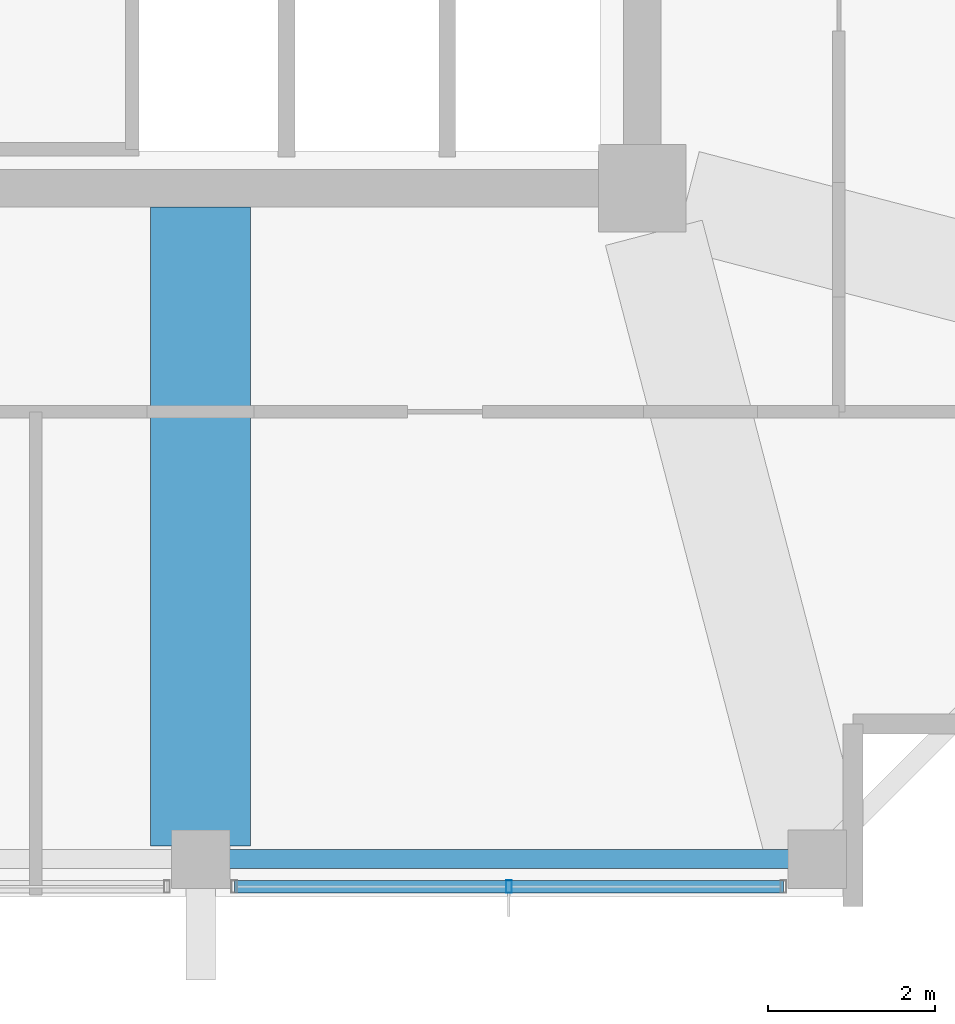
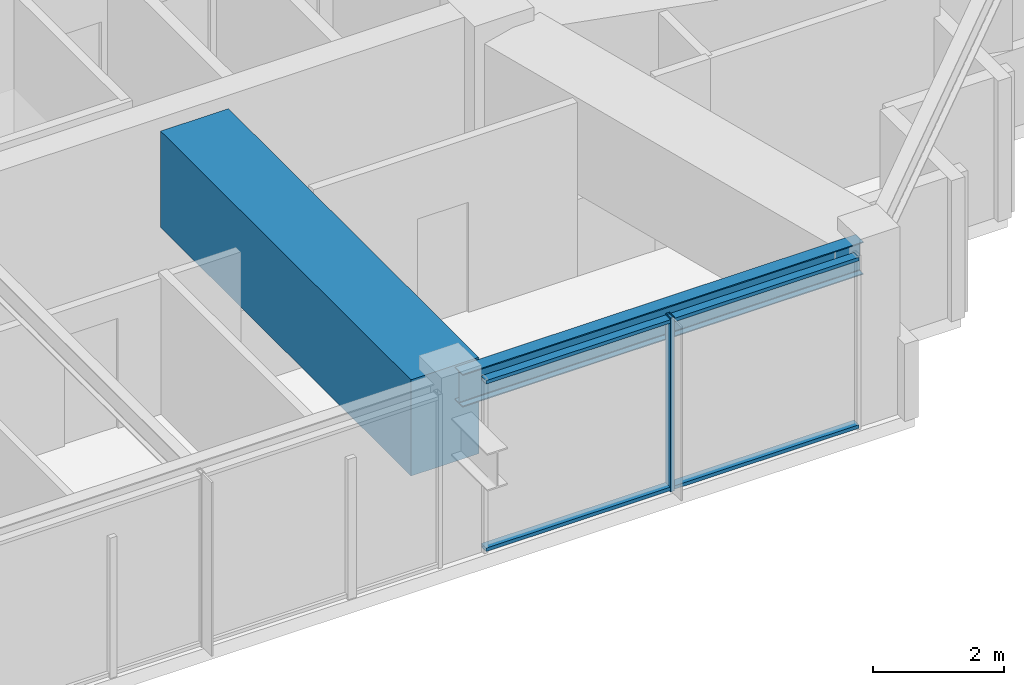
# One storey, part 6 of 31: 3 members, 2 beams, 1 element without a shape of its own.
"""IFC4 building model written with IfcOpenShell, lengths in metres."""

from ifc_helpers import new_model, si_unit, direction, frame, origin, origin_2d, place, context, subcontext, project, spatial, rectangle, hollow_rectangle, i_section, extrude, material, material_profile, profile_set, type_object, element, aggregate, save


model = new_model("IFC4")

# Units and contexts
model_context = context("Model", 3, precision=1e-05, world=origin(), true_north=direction((0.0, 1.0)))
body_context = subcontext(model_context, "Body", "Model", "MODEL_VIEW")
ifc_project = project(units=[si_unit("LENGTHUNIT", "METRE"), si_unit("AREAUNIT", "SQUARE_METRE"), si_unit("VOLUMEUNIT", "CUBIC_METRE"), si_unit("PLANEANGLEUNIT", "RADIAN"), si_unit("MASSUNIT", "GRAM", prefix="KILO")], contexts=[model_context])

# Site, building, storey
site_placement = place(None, origin())
site = spatial("IfcSite", under=ifc_project, at=site_placement, CompositionType="ELEMENT")
building_placement = place(site_placement, origin())
building = spatial("IfcBuilding", under=site, at=building_placement, Name="Kolvaren Belvedere", CompositionType="ELEMENT")
storey_placement = place(building_placement, frame((0.0, 0.0, 237.39990234375)))
storey = spatial("IfcBuildingStorey", under=building, at=storey_placement, Name="L69", CompositionType="ELEMENT", Elevation=237.39990234375)

# Beams
ifc_material_1 = material(Name="Structural steel ASTM A992 Grade 50", Category="steel")
ifc_material_profile_1 = material_profile(ifc_material_1, i_section(OverallWidth=0.22900390625, OverallDepth=0.612060546875, WebThickness=0.011962890625, FlangeThickness=0.01953125, FilletRadius=0.01806640625, at=origin_2d()), Name="W24X84")
ifc_profile_set_1 = profile_set([ifc_material_profile_1], Name="Structural steel ASTM A992 Grade 50")
beam_type_1 = type_object("IfcBeamType", Name="BM-SPAN-W24X84", PredefinedType="SPANDREL", material=ifc_profile_set_1)
beam_1_placement = place(storey_placement, frame((4.757568359375, -17.949951171875, 2.944091796875), z_axis=(1.0, 0.0, 0.0), x_axis=(0.0, 1.0, 0.0)))
element("IfcBeam", 1, at=beam_1_placement, inside=storey, type_object=beam_type_1, Name="L69 Perimeter Spandrel S3-S4", PredefinedType="SPANDREL", context=body_context, shape_type="SweptSolid", body=[
    extrude(i_section(OverallWidth=0.22900390625, OverallDepth=0.612060546875, WebThickness=0.011962890625, FlangeThickness=0.01953125, FilletRadius=0.01806640625, at=origin_2d()), origin(), (0.0, 0.0, 1.0), 7.0849609375),
])
ifc_material_2 = material(Name="Concrete C50/60", Category="concrete")
ifc_material_profile_2 = material_profile(ifc_material_2, rectangle(XDim=1.199951171875, YDim=1.800048828125, at=origin_2d()), Name="RC 1200X1800")
ifc_profile_set_2 = profile_set([ifc_material_profile_2], Name="Concrete C50/60")
beam_type_2 = type_object("IfcBeamType", Name="BM-TG-1800", PredefinedType="BEAM", material=ifc_profile_set_2)
beam_2_placement = place(storey_placement, frame((4.60009765625, -10.125, 2.35009765625), z_axis=(0.0, -1.0, 0.0), x_axis=(1.0, 0.0, 0.0)))
element("IfcBeam", 2, at=beam_2_placement, inside=storey, type_object=beam_type_2, Name="L69 South Radial Girder P", PredefinedType="BEAM", context=body_context, shape_type="SweptSolid", body=[
    extrude(rectangle(XDim=1.199951171875, YDim=1.800048828125, at=origin_2d()), origin(), (0.0, 0.0, 1.0), 7.66748046875),
])

# Curtain wall, members
ifc_material_3 = material(Name="Anodised pale-metal aluminium AA 6063-T6", Category="aluminium")
curtain_wall_type = type_object("IfcCurtainWallType", Name="CW-Z5-HIGH", PredefinedType="NOTDEFINED", material=ifc_material_3)
curtain_wall_placement = place(storey_placement, origin())
curtain_wall = element("IfcCurtainWall", 3, at=curtain_wall_placement, inside=storey, type_object=curtain_wall_type, Name="L69 Unitised Curtain Wall FCW-L69-S-B1", PredefinedType="NOTDEFINED")
ifc_material_4 = material(Name="Anodised pale-metal aluminium AA 6063-T6", Category="aluminium")
ifc_material_profile_3 = material_profile(ifc_material_4, hollow_rectangle(XDim=0.070068359375, YDim=0.14990234375, WallThickness=0.004150390625, at=origin_2d()), Name="ALU-MUL-150X70")
ifc_profile_set_3 = profile_set([ifc_material_profile_3], Name="Anodised pale-metal aluminium AA 6063-T6")
member_type_1 = type_object("IfcMemberType", Name="CW-MUL-150", PredefinedType="MULLION", material=ifc_profile_set_3)
member_1_placement = place(storey_placement, frame((8.300048828125, -18.280029296875, 0.0), z_axis=(0.0, 0.0, 1.0), x_axis=(1.0, 0.0, 0.0)))
member_1 = element("IfcMember", 4, at=member_1_placement, type_object=member_type_1, Name="FCW-L69-S-B1 Unitised Mullion 2", PredefinedType="MULLION", context=body_context, shape_type="SweptSolid", body=[
    extrude(hollow_rectangle(XDim=0.070068359375, YDim=0.14990234375, WallThickness=0.004150390625, at=origin_2d()), origin(), (0.0, 0.0, 1.0), 3.25),
])
ifc_material_5 = material(Name="Anodised pale-metal aluminium AA 6063-T6", Category="aluminium")
ifc_material_profile_4 = material_profile(ifc_material_5, hollow_rectangle(XDim=0.06494140625, YDim=0.14990234375, WallThickness=0.00390625, at=origin_2d()), Name="ALU-TRN-150X65")
ifc_profile_set_4 = profile_set([ifc_material_profile_4], Name="Anodised pale-metal aluminium AA 6063-T6")
member_type_2 = type_object("IfcMemberType", Name="CW-TRN-150", PredefinedType="USERDEFINED", material=ifc_profile_set_4)
member_2_placement = place(storey_placement, frame((11.594970703125, -18.280029296875, 0.06005859375), z_axis=(-1.0, 0.0, 0.0), x_axis=(0.0, 0.0, 1.0)))
member_2 = element("IfcMember", 5, at=member_2_placement, type_object=member_type_2, Name="FCW-L69-S-B1 Sill Transom", ObjectType="TRANSOM", PredefinedType="USERDEFINED", context=body_context, shape_type="SweptSolid", body=[
    extrude(hollow_rectangle(XDim=0.06494140625, YDim=0.14990234375, WallThickness=0.00390625, at=origin_2d()), origin(), (0.0, 0.0, 1.0), 6.590087890625),
])
member_3_placement = place(storey_placement, frame((11.594970703125, -18.280029296875, 3.190185546875), z_axis=(-1.0, 0.0, 0.0), x_axis=(0.0, 0.0, 1.0)))
member_3 = element("IfcMember", 6, at=member_3_placement, type_object=member_type_2, Name="FCW-L69-S-B1 Head Transom", ObjectType="TRANSOM", PredefinedType="USERDEFINED", context=body_context, shape_type="SweptSolid", body=[
    extrude(hollow_rectangle(XDim=0.06494140625, YDim=0.14990234375, WallThickness=0.00390625, at=origin_2d()), origin(), (0.0, 0.0, 1.0), 6.590087890625),
])
aggregate(curtain_wall, [member_1, member_2, member_3])

save(model, "model.ifc")
